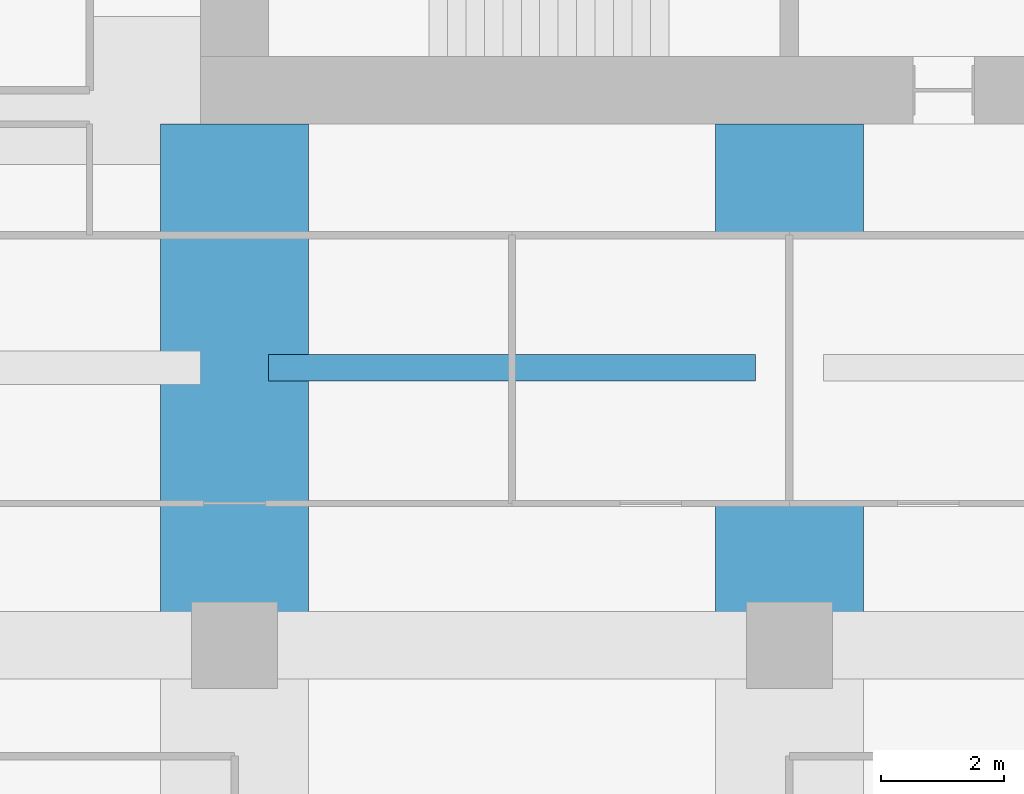
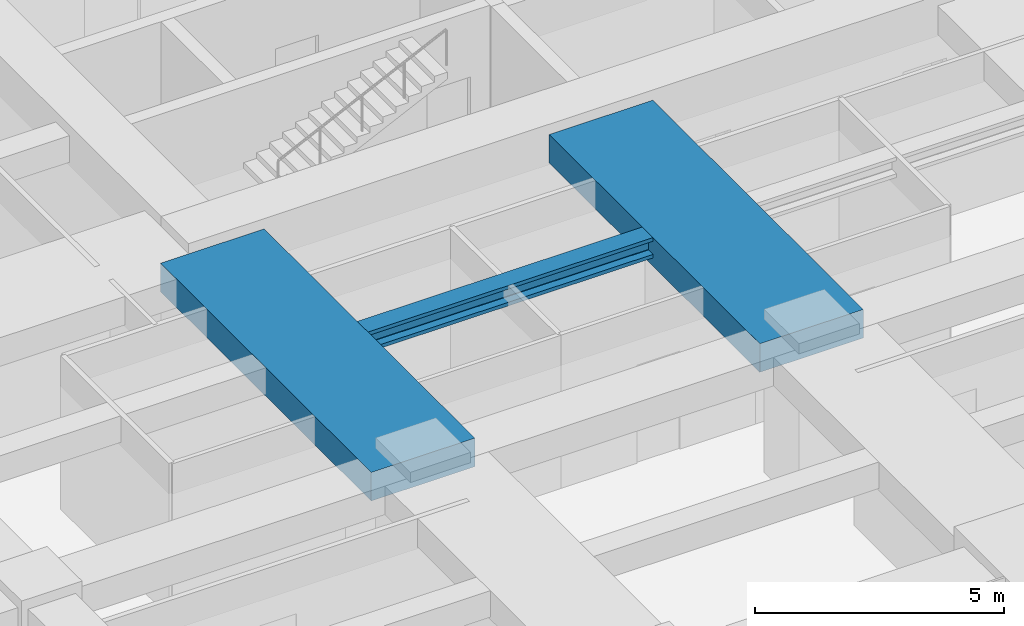
# One storey, part 8 of 34: 3 beams.
"""IFC4 building model written with IfcOpenShell, lengths in metres."""

from ifc_helpers import new_model, si_unit, direction, frame, origin, origin_2d, place, context, subcontext, project, spatial, rectangle, i_section, extrude, material, material_profile, profile_set, type_object, element, save


model = new_model("IFC4")

# Units and contexts
model_context = context("Model", 3, precision=1e-05, world=origin(), true_north=direction((0.0, 1.0)))
body_context = subcontext(model_context, "Body", "Model", "MODEL_VIEW")
ifc_project = project(units=[si_unit("LENGTHUNIT", "METRE"), si_unit("AREAUNIT", "SQUARE_METRE"), si_unit("VOLUMEUNIT", "CUBIC_METRE"), si_unit("PLANEANGLEUNIT", "RADIAN"), si_unit("MASSUNIT", "GRAM", prefix="KILO")], contexts=[model_context])

# Site, building, storey
site_placement = place(None, origin())
site = spatial("IfcSite", under=ifc_project, at=site_placement, CompositionType="ELEMENT")
building_placement = place(site_placement, origin())
building = spatial("IfcBuilding", under=site, at=building_placement, Name="Zorevar Civic Tower", CompositionType="ELEMENT")
storey_placement = place(building_placement, frame((0.0, 0.0, 226.199951171875)))
storey = spatial("IfcBuildingStorey", under=building, at=storey_placement, Name="L55", CompositionType="ELEMENT", Elevation=226.199951171875)

# Beams
ifc_material_1 = material(Name="Concrete C50/60", Category="concrete")
ifc_material_profile_1 = material_profile(ifc_material_1, rectangle(XDim=2.39990234375, YDim=0.699951171875, at=origin_2d()), Name="RC 2400x700")
ifc_profile_set_1 = profile_set([ifc_material_profile_1], Name="Concrete C50/60")
beam_type_1 = type_object("IfcBeamType", Name="Beam RC 2400x700", PredefinedType="BEAM", material=ifc_profile_set_1)
for number, where, z_axis, x_axis, name in (
    (1, (18.0, 9.0, 3.400146484375), (0.0, 1.0, 0.0), (-1.0, 0.0, 0.0), "Girder L56"),
    (2, (27.0, 9.0, 3.400146484375), (0.0, 1.0, 0.0), (-1.0, 0.0, 0.0), "Girder L56"),
):
    element("IfcBeam", number, at=place(storey_placement, frame(where, z_axis=z_axis, x_axis=x_axis)), inside=storey, type_object=beam_type_1, Name=name, PredefinedType="BEAM", context=body_context, shape_type="SweptSolid", body=[
        extrude(rectangle(XDim=2.39990234375, YDim=0.699951171875, at=origin_2d()), origin(), (0.0, 0.0, 1.0), 8.449951171875),
    ])
ifc_material_2 = material(Name="Steel S460M (HISTAR 460)", Category="steel")
ifc_material_profile_2 = material_profile(ifc_material_2, i_section(OverallWidth=0.431884765625, OverallDepth=0.498046875, WebThickness=0.0556640625, FlangeThickness=0.0888671875, FilletRadius=0.014892578125, at=origin_2d()), Name="HD 400x744")
ifc_profile_set_2 = profile_set([ifc_material_profile_2], Name="Steel S460M (HISTAR 460)")
beam_type_2 = type_object("IfcBeamType", Name="Core bay beam HD 400x744", PredefinedType="BEAM", material=ifc_profile_set_2)
beam_placement = place(storey_placement, frame((18.550048828125, 13.5, 3.5009765625), z_axis=(1.0, 0.0, 0.0), x_axis=(0.0, 1.0, 0.0)))
element("IfcBeam", 3, at=beam_placement, inside=storey, type_object=beam_type_2, Name="Secondary beam L56", PredefinedType="BEAM", context=body_context, shape_type="SweptSolid", body=[
    extrude(i_section(OverallWidth=0.431884765625, OverallDepth=0.498046875, WebThickness=0.0556640625, FlangeThickness=0.0888671875, FilletRadius=0.014892578125, at=origin_2d()), origin(), (0.0, 0.0, 1.0), 7.89990234375),
])

save(model, "model.ifc")
